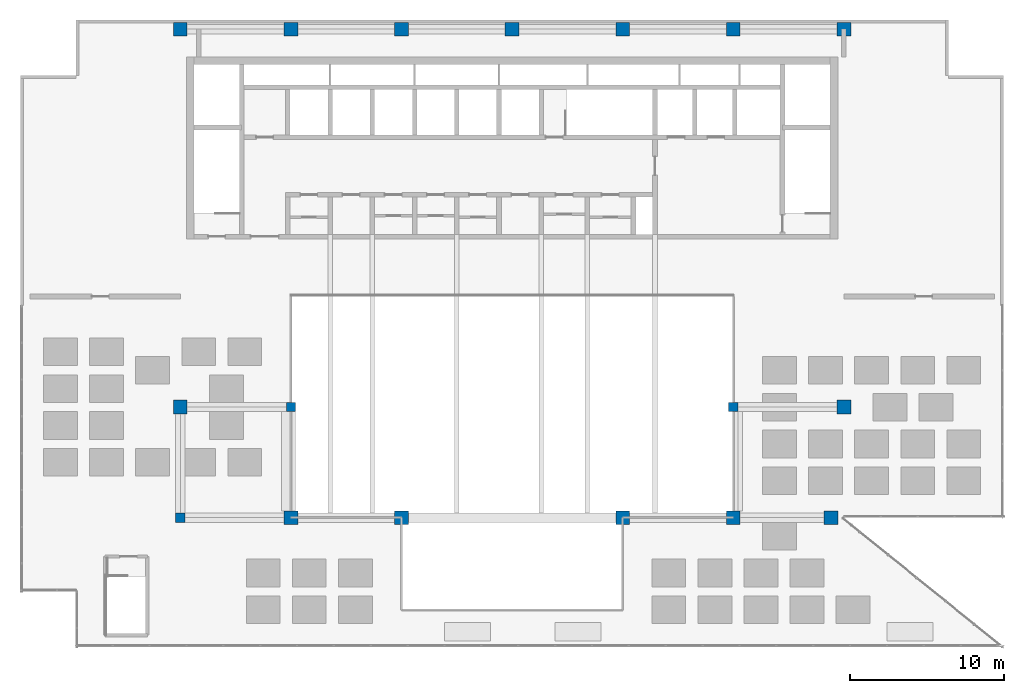
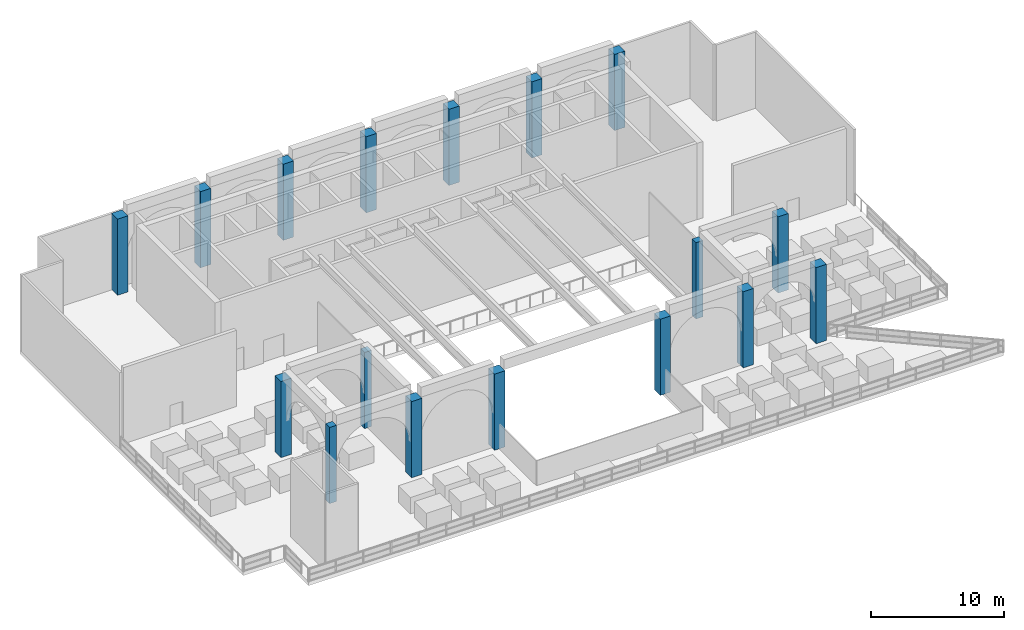
# One storey, part 1 of 17: 17 columns.
"""IFC4 building model written with IfcOpenShell, lengths in metres."""

from ifc_helpers import new_model, si_unit, direction, frame, origin, origin_2d, place, context, subcontext, project, spatial, rectangle, extrude, source, transform, mapped, material, material_profile, profile_set, type_object, element, save


model = new_model("IFC4")

# Units and contexts
model_context = context("Model", 3, precision=1e-05, world=origin(), true_north=direction((0.0, 1.0)))
body_context = subcontext(model_context, "Body", "Model", "MODEL_VIEW")
ifc_project = project(units=[si_unit("LENGTHUNIT", "METRE"), si_unit("AREAUNIT", "SQUARE_METRE"), si_unit("VOLUMEUNIT", "CUBIC_METRE"), si_unit("PLANEANGLEUNIT", "RADIAN"), si_unit("MASSUNIT", "GRAM", prefix="KILO")], contexts=[model_context])

# Site, building, storey
site_placement = place(None, origin())
site = spatial("IfcSite", under=ifc_project, at=site_placement, CompositionType="ELEMENT")
building_placement = place(site_placement, origin())
building = spatial("IfcBuilding", under=site, at=building_placement, Name="Saffron Iwan Residences", CompositionType="ELEMENT")
storey_placement = place(building_placement, frame((0.0, 0.0, 274.5)))
storey = spatial("IfcBuildingStorey", under=building, at=storey_placement, Name="L74", CompositionType="ELEMENT", Elevation=274.5)

# Columns
ifc_material = material(Name="Concrete C40/50", Category="concrete")
ifc_material_profile_1 = material_profile(ifc_material, rectangle(XDim=0.60009765625, YDim=0.60009765625, at=origin_2d()), Name="RC 600x600")
ifc_profile_set_1 = profile_set([ifc_material_profile_1], Name="Concrete C40/50")
column_type_1 = type_object("IfcColumnType", Name="COL RC 600x600 C40/50 7000 HIGH", PredefinedType="COLUMN", material=ifc_profile_set_1)
shared_shape_1 = source(origin(), body_context, "Body", "SweptSolid", [
    extrude(rectangle(XDim=0.60009765625, YDim=0.60009765625, at=origin_2d()), origin(), (0.0, 0.0, 1.0), 7.0),
])
for number, where, z_axis, x_axis, name in (
    (1, (28.800048828125, 48.0, 0.0), (0.0, 0.0, 1.0), (1.0, 0.0, 0.0), "Column C064"),
    (2, (36.0, 55.199951171875, 0.0), (0.0, 0.0, 1.0), (1.0, 0.0, 0.0), "Column C081"),
    (3, (64.800048828125, 55.199951171875, 0.0), (0.0, 0.0, 1.0), (1.0, 0.0, 0.0), "Column C082"),
):
    element("IfcColumn", number, at=place(storey_placement, frame(where, z_axis=z_axis, x_axis=x_axis)), inside=storey, type_object=column_type_1, Name=name, PredefinedType="COLUMN", context=body_context, shape_type="MappedRepresentation", body=[
        mapped(shared_shape_1, transform((0.0, 0.0, 0.0))),
    ])
ifc_material_profile_2 = material_profile(ifc_material, rectangle(XDim=0.89990234375, YDim=0.89990234375, at=origin_2d()), Name="RC 900x900")
ifc_profile_set_2 = profile_set([ifc_material_profile_2], Name="Concrete C40/50")
column_type_2 = type_object("IfcColumnType", Name="COL RC 900x900 C40/50 7000 HIGH", PredefinedType="COLUMN", material=ifc_profile_set_2)
shared_shape_2 = source(origin(), body_context, "Body", "SweptSolid", [
    extrude(rectangle(XDim=0.89990234375, YDim=0.89990234375, at=origin_2d()), origin(), (0.0, 0.0, 1.0), 7.0),
])
for number, where, z_axis, x_axis, name in (
    (4, (36.0, 48.0, 0.0), (0.0, 0.0, 1.0), (1.0, 0.0, 0.0), "Column C065"),
    (5, (43.199951171875, 48.0, 0.0), (0.0, 0.0, 1.0), (1.0, 0.0, 0.0), "Column C066"),
    (6, (57.60009765625, 48.0, 0.0), (0.0, 0.0, 1.0), (1.0, 0.0, 0.0), "Column C068"),
    (7, (64.800048828125, 48.0, 0.0), (0.0, 0.0, 1.0), (1.0, 0.0, 0.0), "Column C069"),
    (8, (71.14990234375, 48.0, 0.0), (0.0, 0.0, 1.0), (1.0, 0.0, 0.0), "Column C070"),
    (9, (28.800048828125, 55.199951171875, 0.0), (0.0, 0.0, 1.0), (1.0, 0.0, 0.0), "Column C080"),
    (10, (72.0, 55.199951171875, 0.0), (0.0, 0.0, 1.0), (1.0, 0.0, 0.0), "Column C083"),
    (11, (28.800048828125, 79.800048828125, 0.0), (0.0, 0.0, 1.0), (1.0, 0.0, 0.0), "Column C115"),
    (12, (36.0, 79.800048828125, 0.0), (0.0, 0.0, 1.0), (1.0, 0.0, 0.0), "Column C116"),
    (13, (43.199951171875, 79.800048828125, 0.0), (0.0, 0.0, 1.0), (1.0, 0.0, 0.0), "Column C117"),
    (14, (50.39990234375, 79.800048828125, 0.0), (0.0, 0.0, 1.0), (1.0, 0.0, 0.0), "Column C118"),
    (15, (57.60009765625, 79.800048828125, 0.0), (0.0, 0.0, 1.0), (1.0, 0.0, 0.0), "Column C119"),
    (16, (64.800048828125, 79.800048828125, 0.0), (0.0, 0.0, 1.0), (1.0, 0.0, 0.0), "Column C120"),
    (17, (72.0, 79.800048828125, 0.0), (0.0, 0.0, 1.0), (1.0, 0.0, 0.0), "Column C121"),
):
    element("IfcColumn", number, at=place(storey_placement, frame(where, z_axis=z_axis, x_axis=x_axis)), inside=storey, type_object=column_type_2, Name=name, PredefinedType="COLUMN", context=body_context, shape_type="MappedRepresentation", body=[
        mapped(shared_shape_2, transform((0.0, 0.0, 0.0))),
    ])

save(model, "model.ifc")
